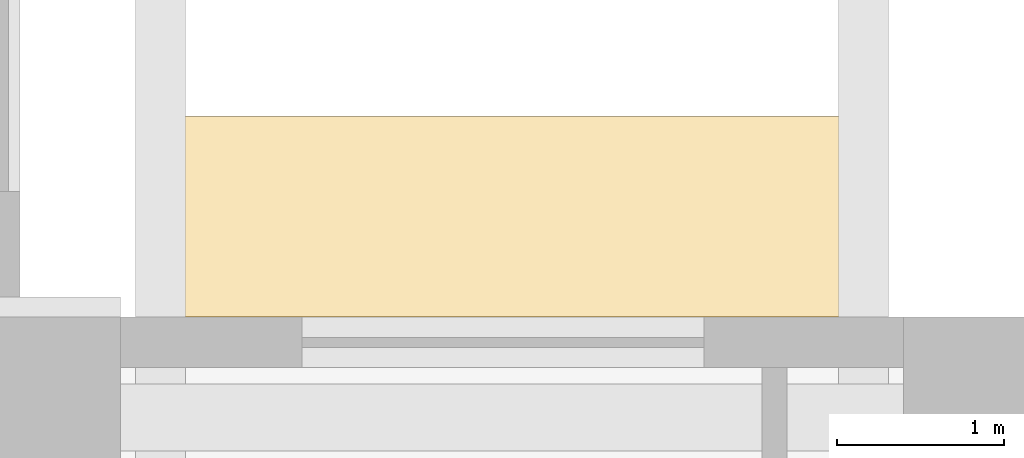
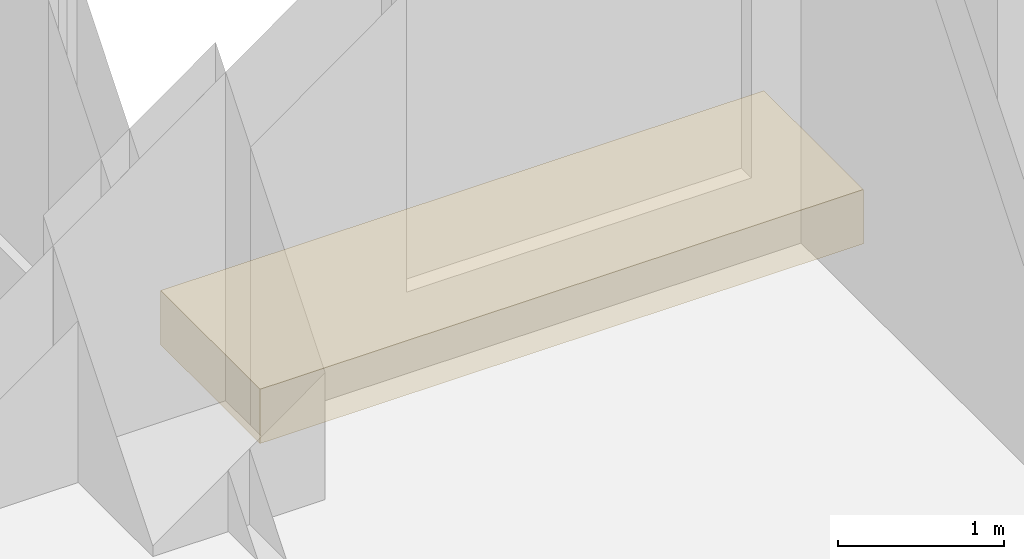
# One storey, part 17 of 17: 1 covering.
"""IFC4 building model written with IfcOpenShell, lengths in metres."""

from ifc_helpers import new_model, si_unit, direction, frame, origin, place, context, subcontext, project, spatial, polyline, outline, extrude, material, type_object, element, save


model = new_model("IFC4")

# Units and contexts
model_context = context("Model", 3, precision=1e-05, world=origin(), true_north=direction((0.0, 1.0)))
body_context = subcontext(model_context, "Body", "Model", "MODEL_VIEW")
ifc_project = project(units=[si_unit("LENGTHUNIT", "METRE"), si_unit("AREAUNIT", "SQUARE_METRE"), si_unit("VOLUMEUNIT", "CUBIC_METRE"), si_unit("PLANEANGLEUNIT", "RADIAN"), si_unit("MASSUNIT", "GRAM", prefix="KILO")], contexts=[model_context])

# Site, building, storey
site_placement = place(None, origin())
site = spatial("IfcSite", under=ifc_project, at=site_placement, CompositionType="ELEMENT")
building_placement = place(site_placement, origin())
building = spatial("IfcBuilding", under=site, at=building_placement, Name="Aurelian Terraces", CompositionType="ELEMENT")
storey_placement = place(building_placement, frame((0.0, 0.0, 69.9)))
storey = spatial("IfcBuildingStorey", under=building, at=storey_placement, Name="L14", CompositionType="ELEMENT", Elevation=69.9)

# Covering
ifc_material = material(Name="Terracotta roof tiles on membrane", Category="masonry")
covering_type = type_object("IfcCoveringType", Name="Bay roof cover", PredefinedType="ROOFING", material=ifc_material)
covering_placement = place(storey_placement, frame((0.0, 0.0, -0.4)))
element("IfcCovering", 1, at=covering_placement, inside=storey, type_object=covering_type, Name="Bay roof L14 58.80_21.00_63.00_22.20", PredefinedType="ROOFING", context=body_context, shape_type="SweptSolid", body=[
    extrude(outline(polyline([(58.8, 21.0), (58.8, 22.2), (63.0, 22.2), (63.0, 21.0), (58.8, 21.0)])), origin(), (0.0, 0.0, 1.0), 0.4),
])

save(model, "model.ifc")
